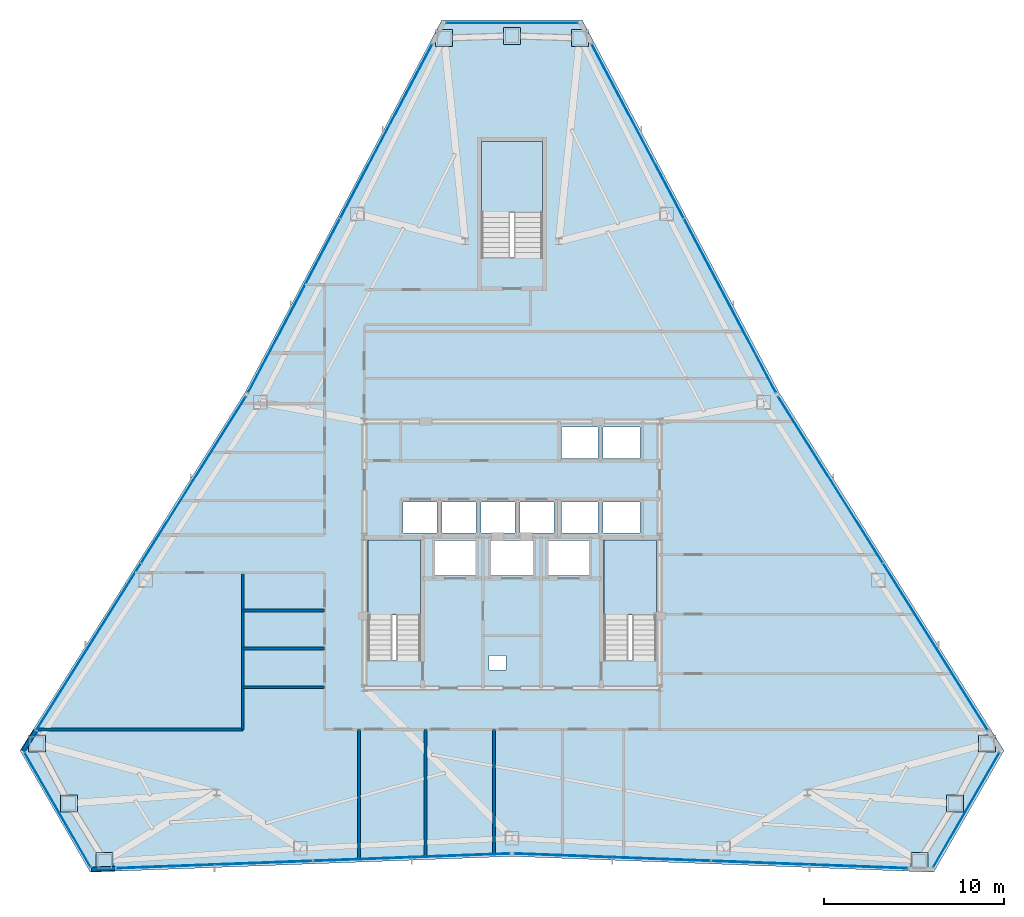
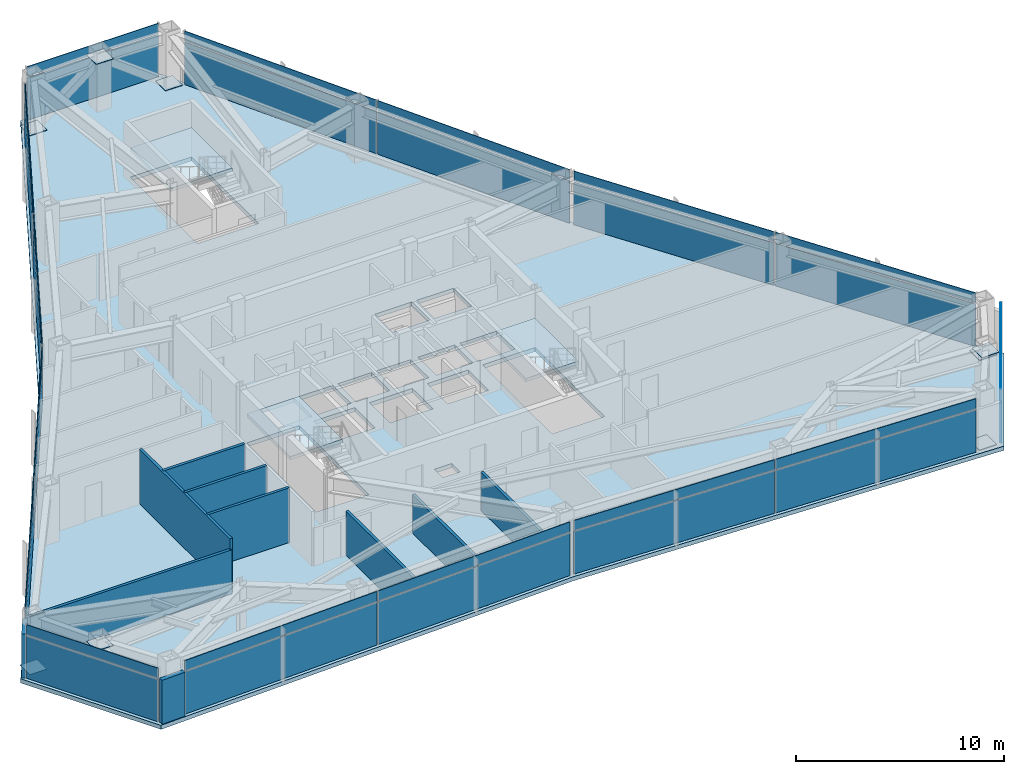
# One storey, part 9 of 13: 39 plates, 10 walls, 4 slabs, 12 elements without a shape of their own.
"""IFC4 building model written with IfcOpenShell, lengths in metres."""

from ifc_helpers import new_model, si_unit, direction, frame, frame_2d, origin, origin_2d, place, context, subcontext, project, spatial, polyline, rectangle, outline, extrude, source, transform, mapped, material, layer, layer_set, type_object, type_shapes, element, aggregate, save


model = new_model("IFC4")

# Units and contexts
model_context = context("Model", 3, precision=1e-05, world=origin(), true_north=direction((0.0, 1.0)))
body_context = subcontext(model_context, "Body", "Model", "MODEL_VIEW")
ifc_project = project(units=[si_unit("LENGTHUNIT", "METRE"), si_unit("AREAUNIT", "SQUARE_METRE"), si_unit("VOLUMEUNIT", "CUBIC_METRE"), si_unit("PLANEANGLEUNIT", "RADIAN"), si_unit("MASSUNIT", "GRAM", prefix="KILO")], contexts=[model_context])

# Site, building, storey
site_placement = place(None, origin())
site = spatial("IfcSite", under=ifc_project, at=site_placement, CompositionType="ELEMENT")
building_placement = place(site_placement, origin())
building = spatial("IfcBuilding", under=site, at=building_placement, Name="Varakhsha Concourse Tower", CompositionType="ELEMENT")
storey_placement = place(building_placement, frame((0.0, 0.0, 175.800048828125)))
storey = spatial("IfcBuildingStorey", under=building, at=storey_placement, Name="L50", CompositionType="ELEMENT", Elevation=175.800048828125)

# Slab
ifc_material_1 = material(Name="Concrete fc 45 MPa", Category="concrete")
ifc_layer_1 = layer(ifc_material_1, 0.239990234375, Name="SL-FLR-240")
ifc_layer_set_1 = layer_set([ifc_layer_1], Name="Concrete fc 45 MPa")
slab_type_1 = type_object("IfcSlabType", Name="SL-FLR-240", PredefinedType="FLOOR", material=ifc_layer_set_1)
slab_1_placement = place(storey_placement, frame((0.0, 0.0, -0.239990234375)))
element("IfcSlab", 1, at=slab_1_placement, inside=storey, type_object=slab_type_1, Name="L50 Composite Structural Slab", PredefinedType="FLOOR", context=body_context, shape_type="SweptSolid", body=[
    extrude(outline(polyline([(43.89990234375, 53.498291015625), (36.10009765625, 53.498291015625), (25.147216796875, 32.775390625), (12.677001953125, 12.92822265625), (16.576904296875, 6.17333984375), (40.0, 7.04931640625), (63.423095703125, 6.17333984375), (67.322998046875, 12.92822265625), (54.852783203125, 32.775390625), (43.89990234375, 53.498291015625)]), holes=[polyline([(34.919921875, 17.93994140625), (34.919921875, 24.6298828125), (32.0, 24.6298828125), (32.0, 17.93994140625), (34.919921875, 17.93994140625)]), polyline([(48.02001953125, 17.93994140625), (48.02001953125, 24.6298828125), (45.10009765625, 24.6298828125), (45.10009765625, 17.93994140625), (48.02001953125, 17.93994140625)]), polyline([(41.699951171875, 40.300048828125), (41.699951171875, 46.75), (38.300048828125, 46.75), (38.300048828125, 40.300048828125), (41.699951171875, 40.300048828125)]), polyline([(33.9599609375, 25.0), (35.840087890625, 25.0), (35.840087890625, 26.739990234375), (33.9599609375, 26.739990234375), (33.9599609375, 25.0)]), polyline([(36.1201171875, 25.0), (38.0, 25.0), (38.0, 26.739990234375), (36.1201171875, 26.739990234375), (36.1201171875, 25.0)]), polyline([(38.280029296875, 25.0), (40.159912109375, 25.0), (40.159912109375, 26.739990234375), (38.280029296875, 26.739990234375), (38.280029296875, 25.0)]), polyline([(40.43994140625, 25.0), (42.320068359375, 25.0), (42.320068359375, 26.739990234375), (40.43994140625, 26.739990234375), (40.43994140625, 25.0)]), polyline([(42.739990234375, 29.159912109375), (44.780029296875, 29.159912109375), (44.780029296875, 30.89990234375), (42.739990234375, 30.89990234375), (42.739990234375, 29.159912109375)]), polyline([(45.06005859375, 29.159912109375), (47.10009765625, 29.159912109375), (47.10009765625, 30.89990234375), (45.06005859375, 30.89990234375), (45.06005859375, 29.159912109375)]), polyline([(42.739990234375, 25.0), (44.780029296875, 25.0), (44.780029296875, 26.739990234375), (42.739990234375, 26.739990234375), (42.739990234375, 25.0)]), polyline([(45.06005859375, 25.0), (47.10009765625, 25.0), (47.10009765625, 26.739990234375), (45.06005859375, 26.739990234375), (45.06005859375, 25.0)]), polyline([(35.7099609375, 22.639892578125), (37.989990234375, 22.639892578125), (37.989990234375, 24.60009765625), (35.7099609375, 24.60009765625), (35.7099609375, 22.639892578125)]), polyline([(42.010009765625, 22.639892578125), (44.2900390625, 22.639892578125), (44.2900390625, 24.60009765625), (42.010009765625, 24.60009765625), (42.010009765625, 22.639892578125)]), polyline([(38.81005859375, 22.639892578125), (41.18994140625, 22.639892578125), (41.18994140625, 24.60009765625), (38.81005859375, 24.60009765625), (38.81005859375, 22.639892578125)]), polyline([(38.719970703125, 17.39990234375), (39.679931640625, 17.39990234375), (39.679931640625, 18.199951171875), (38.719970703125, 18.199951171875), (38.719970703125, 17.39990234375)])]), origin(), (0.0, 0.0, 1.0), 0.239990234375),
])

# Stair, slab
stair_type_1 = type_object("IfcStairType", Name="ST-DOGLEG-1360", PredefinedType="HALF_TURN_STAIR", material=ifc_material_1)
stair_1_placement = place(storey_placement, origin())
stair_1 = element("IfcStair", 2, at=stair_1_placement, inside=storey, type_object=stair_type_1, Name="L50 Protected Exit Stair ST1", PredefinedType="HALF_TURN_STAIR")
ifc_layer_2 = layer(ifc_material_1, 0.199951171875, Name="SL-LAND-200")
ifc_layer_set_2 = layer_set([ifc_layer_2], Name="Concrete fc 45 MPa")
slab_type_2 = type_object("IfcSlabType", Name="SL-LAND-200", PredefinedType="LANDING", material=ifc_layer_set_2)
slab_2_placement = place(storey_placement, frame((0.0, 0.0, 1.52490234375)))
slab_2 = element("IfcSlab", 3, at=slab_2_placement, type_object=slab_type_2, Name="ST1 landing 1", PredefinedType="LANDING", context=body_context, shape_type="SweptSolid", body=[
    extrude(outline(polyline([(34.919921875, 20.4599609375), (34.919921875, 24.6298828125), (32.0, 24.6298828125), (32.0, 20.4599609375), (34.919921875, 20.4599609375)])), origin(), (0.0, 0.0, 1.0), 0.199951171875),
])
aggregate(stair_1, [slab_2])

stair_2_placement = place(storey_placement, origin())
stair_2 = element("IfcStair", 4, at=stair_2_placement, inside=storey, type_object=stair_type_1, Name="L50 Protected Exit Stair ST2", PredefinedType="HALF_TURN_STAIR")
slab_3_placement = place(storey_placement, frame((0.0, 0.0, 1.52490234375)))
slab_3 = element("IfcSlab", 5, at=slab_3_placement, type_object=slab_type_2, Name="ST2 landing 1", PredefinedType="LANDING", context=body_context, shape_type="SweptSolid", body=[
    extrude(outline(polyline([(48.02001953125, 20.4599609375), (48.02001953125, 24.6298828125), (45.10009765625, 24.6298828125), (45.10009765625, 20.4599609375), (48.02001953125, 20.4599609375)])), origin(), (0.0, 0.0, 1.0), 0.199951171875),
])
aggregate(stair_2, [slab_3])

stair_type_2 = type_object("IfcStairType", Name="ST-DOGLEG-1600", PredefinedType="HALF_TURN_STAIR", material=ifc_material_1)
stair_3_placement = place(storey_placement, origin())
stair_3 = element("IfcStair", 6, at=stair_3_placement, inside=storey, type_object=stair_type_2, Name="L50 Protected Exit Stair ST5", PredefinedType="HALF_TURN_STAIR")
slab_4_placement = place(storey_placement, frame((0.0, 0.0, 1.52490234375)))
slab_4 = element("IfcSlab", 7, at=slab_4_placement, type_object=slab_type_2, Name="ST5 landing 1", PredefinedType="LANDING", context=body_context, shape_type="SweptSolid", body=[
    extrude(outline(polyline([(41.699951171875, 42.820068359375), (41.699951171875, 46.75), (38.300048828125, 46.75), (38.300048828125, 42.820068359375), (41.699951171875, 42.820068359375)])), origin(), (0.0, 0.0, 1.0), 0.199951171875),
])
aggregate(stair_3, [slab_4])

# Plates
ifc_material_2 = material(Name="Structural Steel ASTM A572 Grade 50", Category="steel")
ifc_layer_3 = layer(ifc_material_2, 0.030029296875, Name="PL-ENDCAP-950")
ifc_layer_set_3 = layer_set([ifc_layer_3], Name="Structural Steel ASTM A572 Grade 50")
plate_type_1 = type_object("IfcPlateType", Name="PL-ENDCAP-950", PredefinedType="USERDEFINED", material=ifc_layer_set_3)
shared_shape_1 = source(origin(), body_context, "Body", "SweptSolid", [
    extrude(rectangle(XDim=0.949951171875, YDim=0.949951171875, at=origin_2d()), origin(), (0.0, 0.0, 1.0), 0.030029296875),
])
type_shapes(plate_type_1, [shared_shape_1])
for number, where, z_axis, x_axis, name in (
    (8, (43.7666015625, 52.4951171875, 0.10498046875), (0.0, 0.0, 1.0), (1.0, 0.0, 0.0), "Hollow Section End Cap GP-NODE-L50-0514"),
    (9, (40.0, 52.618408203125, 2.89501953125), (0.0, 0.0, 1.0), (1.0, 0.0, 0.0), "Hollow Section End Cap GP-NODE-L50-0515"),
    (10, (36.2333984375, 52.4951171875, 0.10498046875), (0.0, 0.0, 1.0), (1.0, 0.0, 0.0), "Hollow Section End Cap GP-NODE-L50-0516"),
    (11, (13.6123046875, 13.314208984375, 0.10498046875), (0.0, 0.0, 1.0), (1.0, 0.0, 0.0), "Hollow Section End Cap GP-NODE-L50-0517"),
    (12, (15.388916015625, 9.99072265625, 2.89501953125), (0.0, 0.0, 1.0), (1.0, 0.0, 0.0), "Hollow Section End Cap GP-NODE-L50-0518"),
    (13, (17.37890625, 6.79052734375, 0.10498046875), (0.0, 0.0, 1.0), (1.0, 0.0, 0.0), "Hollow Section End Cap GP-NODE-L50-0519"),
    (14, (62.62109375, 6.79052734375, 0.10498046875), (0.0, 0.0, 1.0), (1.0, 0.0, 0.0), "Hollow Section End Cap GP-NODE-L50-0520"),
    (15, (64.611083984375, 9.99072265625, 2.89501953125), (0.0, 0.0, 1.0), (1.0, 0.0, 0.0), "Hollow Section End Cap GP-NODE-L50-0521"),
    (16, (66.3876953125, 13.314208984375, 0.10498046875), (0.0, 0.0, 1.0), (1.0, 0.0, 0.0), "Hollow Section End Cap GP-NODE-L50-0522"),
):
    element("IfcPlate", number, at=place(storey_placement, frame(where, z_axis=z_axis, x_axis=x_axis)), inside=storey, type_object=plate_type_1, Name=name, ObjectType="END PLATE", PredefinedType="USERDEFINED", context=body_context, shape_type="MappedRepresentation", body=[
        mapped(shared_shape_1, transform((0.0, 0.0, 0.0), scale=1.0)),
    ])

# Curtain wall, plates
ifc_material_3 = material(Name="Anodised Bronze Architectural Aluminium AA 6063-T6", Category="aluminium")
ifc_layer_4 = layer(ifc_material_3, 0.2099609375, Name="CW-SYS-04")
ifc_layer_set_4 = layer_set([ifc_layer_4], Name="Anodised Bronze Architectural Aluminium AA 6063-T6")
curtain_wall_type = type_object("IfcCurtainWallType", Name="CW-SYS-04", PredefinedType="NOTDEFINED", material=ifc_layer_set_4)
curtain_wall_1_placement = place(storey_placement, origin())
curtain_wall_1 = element("IfcCurtainWall", 17, at=curtain_wall_1_placement, inside=storey, type_object=curtain_wall_type, Name="L50 Crystal Curtain Wall F2", PredefinedType="NOTDEFINED")
ifc_material_4 = material(Name="Low-E Triple Insulating Glass IGU 44 mm", Category="glass")
ifc_layer_5 = layer(ifc_material_4, 0.0439453125, Name="CWP-IGU-44")
ifc_layer_set_5 = layer_set([ifc_layer_5], Name="Low-E Triple Insulating Glass IGU 44 mm")
plate_type_2 = type_object("IfcPlateType", Name="CWP-IGU-44", PredefinedType="CURTAIN_PANEL", material=ifc_layer_set_5)
shared_shape_2 = source(origin(), body_context, "Body", "SweptSolid", [
    extrude(rectangle(XDim=10.900634765625, YDim=0.0439453125, at=origin_2d()), origin(), (0.0, 0.0, 1.0), 2.49609375),
])
plate_1_placement = place(storey_placement, frame((27.888916015625, 37.62060546875, 0.031982421875), z_axis=(0.0, 0.0, 1.0), x_axis=(0.46728648373, 0.884105956389, 0.0)))
plate_1 = element("IfcPlate", 18, at=plate_1_placement, type_object=plate_type_2, Name="CW-L50-F2 Panel 00-00", PredefinedType="CURTAIN_PANEL", context=body_context, shape_type="MappedRepresentation", body=[
    mapped(shared_shape_2, transform((0.0, 0.0, 0.0), scale=1.0)),
])
plate_2_placement = place(storey_placement, frame((33.014892578125, 47.31884765625, 0.031982421875), z_axis=(0.0, 0.0, 1.0), x_axis=(0.46728648373, 0.884105956389, 0.0)))
plate_2 = element("IfcPlate", 19, at=plate_2_placement, type_object=plate_type_2, Name="CW-L50-F2 Panel 01-00", PredefinedType="CURTAIN_PANEL", context=body_context, shape_type="MappedRepresentation", body=[
    mapped(shared_shape_2, transform((0.0, 0.0, 0.0), scale=1.0)),
])

# Curtain wall, plate
curtain_wall_2_placement = place(storey_placement, origin())
curtain_wall_2 = element("IfcCurtainWall", 20, at=curtain_wall_2_placement, inside=storey, type_object=curtain_wall_type, Name="L50 Crystal Curtain Wall F3", PredefinedType="NOTDEFINED")
plate_3_placement = place(storey_placement, frame((16.48583984375, 18.689697265625, 0.031982421875), z_axis=(0.0, 0.0, 1.0), x_axis=(0.532022365141, 0.846730301212, 0.0)))
plate_3 = element("IfcPlate", 21, at=plate_3_placement, type_object=plate_type_2, Name="CW-L50-F3 Panel 00-00", PredefinedType="CURTAIN_PANEL", context=body_context, shape_type="MappedRepresentation", body=[
    mapped(shared_shape_2, transform((0.0, 0.0, 0.0), scale=1.0)),
])

# Curtain wall, plates
curtain_wall_3_placement = place(storey_placement, origin())
curtain_wall_3 = element("IfcCurtainWall", 22, at=curtain_wall_3_placement, inside=storey, type_object=curtain_wall_type, Name="L50 Crystal Curtain Wall F5", PredefinedType="NOTDEFINED")
plate_4_placement = place(storey_placement, frame((34.43310546875, 7.001220703125, 0.031982421875), z_axis=(0.0, 0.0, 1.0), x_axis=(-0.999301264048, -0.037376244769, 0.0)))
plate_4 = element("IfcPlate", 23, at=plate_4_placement, type_object=plate_type_2, Name="CW-L50-F5 Panel 00-00", PredefinedType="CURTAIN_PANEL", context=body_context, shape_type="MappedRepresentation", body=[
    mapped(shared_shape_2, transform((0.0, 0.0, 0.0), scale=1.0)),
])
plate_5_placement = place(storey_placement, frame((23.470947265625, 6.59130859375, 0.031982421875), z_axis=(0.0, 0.0, 1.0), x_axis=(-0.999301264048, -0.037376244769, 0.0)))
plate_5 = element("IfcPlate", 24, at=plate_5_placement, type_object=plate_type_2, Name="CW-L50-F5 Panel 01-00", PredefinedType="CURTAIN_PANEL", context=body_context, shape_type="MappedRepresentation", body=[
    mapped(shared_shape_2, transform((0.0, 0.0, 0.0), scale=1.0)),
])

curtain_wall_4_placement = place(storey_placement, origin())
curtain_wall_4 = element("IfcCurtainWall", 25, at=curtain_wall_4_placement, inside=storey, type_object=curtain_wall_type, Name="L50 Crystal Curtain Wall F6", PredefinedType="NOTDEFINED")
plate_6_placement = place(storey_placement, frame((56.529052734375, 6.59130859375, 0.031982421875), z_axis=(0.0, 0.0, 1.0), x_axis=(-0.999301264048, 0.037376244769, 0.0)))
plate_6 = element("IfcPlate", 26, at=plate_6_placement, type_object=plate_type_2, Name="CW-L50-F6 Panel 00-00", PredefinedType="CURTAIN_PANEL", context=body_context, shape_type="MappedRepresentation", body=[
    mapped(shared_shape_2, transform((0.0, 0.0, 0.0), scale=1.0)),
])
plate_7_placement = place(storey_placement, frame((45.56689453125, 7.001220703125, 0.031982421875), z_axis=(0.0, 0.0, 1.0), x_axis=(-0.999301264048, 0.037376244769, 0.0)))
plate_7 = element("IfcPlate", 27, at=plate_7_placement, type_object=plate_type_2, Name="CW-L50-F6 Panel 01-00", PredefinedType="CURTAIN_PANEL", context=body_context, shape_type="MappedRepresentation", body=[
    mapped(shared_shape_2, transform((0.0, 0.0, 0.0), scale=1.0)),
])

# Curtain wall, plate
curtain_wall_5_placement = place(storey_placement, origin())
curtain_wall_5 = element("IfcCurtainWall", 28, at=curtain_wall_5_placement, inside=storey, type_object=curtain_wall_type, Name="L50 Crystal Curtain Wall F8", PredefinedType="NOTDEFINED")
plate_8_placement = place(storey_placement, frame((57.677978515625, 27.978271484375, 0.031982421875), z_axis=(0.0, 0.0, 1.0), x_axis=(0.532022365141, -0.846730301212, 0.0)))
plate_8 = element("IfcPlate", 29, at=plate_8_placement, type_object=plate_type_2, Name="CW-L50-F8 Panel 00-00", PredefinedType="CURTAIN_PANEL", context=body_context, shape_type="MappedRepresentation", body=[
    mapped(shared_shape_2, transform((0.0, 0.0, 0.0), scale=1.0)),
])

# Curtain wall, plates
curtain_wall_6_placement = place(storey_placement, origin())
curtain_wall_6 = element("IfcCurtainWall", 30, at=curtain_wall_6_placement, inside=storey, type_object=curtain_wall_type, Name="L50 Crystal Curtain Wall F9", PredefinedType="NOTDEFINED")
plate_9_placement = place(storey_placement, frame((46.985107421875, 47.31884765625, 0.031982421875), z_axis=(0.0, 0.0, 1.0), x_axis=(0.46728648373, -0.884105956389, 0.0)))
plate_9 = element("IfcPlate", 31, at=plate_9_placement, type_object=plate_type_2, Name="CW-L50-F9 Panel 00-00", PredefinedType="CURTAIN_PANEL", context=body_context, shape_type="MappedRepresentation", body=[
    mapped(shared_shape_2, transform((0.0, 0.0, 0.0), scale=1.0)),
])
plate_10_placement = place(storey_placement, frame((52.111083984375, 37.62060546875, 0.031982421875), z_axis=(0.0, 0.0, 1.0), x_axis=(0.46728648373, -0.884105956389, 0.0)))
plate_10 = element("IfcPlate", 32, at=plate_10_placement, type_object=plate_type_2, Name="CW-L50-F9 Panel 01-00", PredefinedType="CURTAIN_PANEL", context=body_context, shape_type="MappedRepresentation", body=[
    mapped(shared_shape_2, transform((0.0, 0.0, 0.0), scale=1.0)),
])

# Plate
ifc_material_5 = material(Name="Insulated Anodised Bronze Aluminium Spandrel 36 mm", Category="aluminium")
ifc_layer_6 = layer(ifc_material_5, 0.035888671875, Name="CWP-SPN-36")
ifc_layer_set_6 = layer_set([ifc_layer_6], Name="Insulated Anodised Bronze Aluminium Spandrel 36 mm")
plate_type_3 = type_object("IfcPlateType", Name="CWP-SPN-36", PredefinedType="USERDEFINED", material=ifc_layer_set_6)
shared_shape_3 = source(origin(), body_context, "Body", "SweptSolid", [
    extrude(rectangle(XDim=10.900634765625, YDim=0.035888671875, at=origin_2d()), origin(), (0.0, 0.0, 1.0), 0.5859375),
])
plate_11_placement = place(storey_placement, frame((27.888916015625, 37.62060546875, 2.592041015625), z_axis=(0.0, 0.0, 1.0), x_axis=(0.46728648373, 0.884105956389, 0.0)))
plate_11 = element("IfcPlate", 33, at=plate_11_placement, type_object=plate_type_3, Name="CW-L50-F2 Panel 00-01", ObjectType="SPANDREL", PredefinedType="USERDEFINED", context=body_context, shape_type="MappedRepresentation", body=[
    mapped(shared_shape_3, transform((0.0, 0.0, 0.0), scale=1.0)),
])

plate_12_placement = place(storey_placement, frame((33.014892578125, 47.31884765625, 2.592041015625), z_axis=(0.0, 0.0, 1.0), x_axis=(0.46728648373, 0.884105956389, 0.0)))
plate_12 = element("IfcPlate", 34, at=plate_12_placement, type_object=plate_type_3, Name="CW-L50-F2 Panel 01-01", ObjectType="SPANDREL", PredefinedType="USERDEFINED", context=body_context, shape_type="MappedRepresentation", body=[
    mapped(shared_shape_3, transform((0.0, 0.0, 0.0), scale=1.0)),
])

aggregate(curtain_wall_1, [plate_1, plate_11, plate_2, plate_12])

plate_13_placement = place(storey_placement, frame((16.48583984375, 18.689697265625, 2.592041015625), z_axis=(0.0, 0.0, 1.0), x_axis=(0.532022365141, 0.846730301212, 0.0)))
plate_13 = element("IfcPlate", 35, at=plate_13_placement, type_object=plate_type_3, Name="CW-L50-F3 Panel 00-01", ObjectType="SPANDREL", PredefinedType="USERDEFINED", context=body_context, shape_type="MappedRepresentation", body=[
    mapped(shared_shape_3, transform((0.0, 0.0, 0.0), scale=1.0)),
])

plate_14_placement = place(storey_placement, frame((34.43310546875, 7.001220703125, 2.592041015625), z_axis=(0.0, 0.0, 1.0), x_axis=(-0.999301264048, -0.037376244769, 0.0)))
plate_14 = element("IfcPlate", 36, at=plate_14_placement, type_object=plate_type_3, Name="CW-L50-F5 Panel 00-01", ObjectType="SPANDREL", PredefinedType="USERDEFINED", context=body_context, shape_type="MappedRepresentation", body=[
    mapped(shared_shape_3, transform((0.0, 0.0, 0.0), scale=1.0)),
])

plate_15_placement = place(storey_placement, frame((23.470947265625, 6.59130859375, 2.592041015625), z_axis=(0.0, 0.0, 1.0), x_axis=(-0.999301264048, -0.037376244769, 0.0)))
plate_15 = element("IfcPlate", 37, at=plate_15_placement, type_object=plate_type_3, Name="CW-L50-F5 Panel 01-01", ObjectType="SPANDREL", PredefinedType="USERDEFINED", context=body_context, shape_type="MappedRepresentation", body=[
    mapped(shared_shape_3, transform((0.0, 0.0, 0.0), scale=1.0)),
])

aggregate(curtain_wall_3, [plate_4, plate_14, plate_5, plate_15])

plate_16_placement = place(storey_placement, frame((56.529052734375, 6.59130859375, 2.592041015625), z_axis=(0.0, 0.0, 1.0), x_axis=(-0.999301264048, 0.037376244769, 0.0)))
plate_16 = element("IfcPlate", 38, at=plate_16_placement, type_object=plate_type_3, Name="CW-L50-F6 Panel 00-01", ObjectType="SPANDREL", PredefinedType="USERDEFINED", context=body_context, shape_type="MappedRepresentation", body=[
    mapped(shared_shape_3, transform((0.0, 0.0, 0.0), scale=1.0)),
])

plate_17_placement = place(storey_placement, frame((45.56689453125, 7.001220703125, 2.592041015625), z_axis=(0.0, 0.0, 1.0), x_axis=(-0.999301264048, 0.037376244769, 0.0)))
plate_17 = element("IfcPlate", 39, at=plate_17_placement, type_object=plate_type_3, Name="CW-L50-F6 Panel 01-01", ObjectType="SPANDREL", PredefinedType="USERDEFINED", context=body_context, shape_type="MappedRepresentation", body=[
    mapped(shared_shape_3, transform((0.0, 0.0, 0.0), scale=1.0)),
])

aggregate(curtain_wall_4, [plate_6, plate_16, plate_7, plate_17])

plate_18_placement = place(storey_placement, frame((57.677978515625, 27.978271484375, 2.592041015625), z_axis=(0.0, 0.0, 1.0), x_axis=(0.532022365141, -0.846730301212, 0.0)))
plate_18 = element("IfcPlate", 40, at=plate_18_placement, type_object=plate_type_3, Name="CW-L50-F8 Panel 00-01", ObjectType="SPANDREL", PredefinedType="USERDEFINED", context=body_context, shape_type="MappedRepresentation", body=[
    mapped(shared_shape_3, transform((0.0, 0.0, 0.0), scale=1.0)),
])

plate_19_placement = place(storey_placement, frame((46.985107421875, 47.31884765625, 2.592041015625), z_axis=(0.0, 0.0, 1.0), x_axis=(0.46728648373, -0.884105956389, 0.0)))
plate_19 = element("IfcPlate", 41, at=plate_19_placement, type_object=plate_type_3, Name="CW-L50-F9 Panel 00-01", ObjectType="SPANDREL", PredefinedType="USERDEFINED", context=body_context, shape_type="MappedRepresentation", body=[
    mapped(shared_shape_3, transform((0.0, 0.0, 0.0), scale=1.0)),
])

plate_20_placement = place(storey_placement, frame((52.111083984375, 37.62060546875, 2.592041015625), z_axis=(0.0, 0.0, 1.0), x_axis=(0.46728648373, -0.884105956389, 0.0)))
plate_20 = element("IfcPlate", 42, at=plate_20_placement, type_object=plate_type_3, Name="CW-L50-F9 Panel 01-01", ObjectType="SPANDREL", PredefinedType="USERDEFINED", context=body_context, shape_type="MappedRepresentation", body=[
    mapped(shared_shape_3, transform((0.0, 0.0, 0.0), scale=1.0)),
])

aggregate(curtain_wall_6, [plate_9, plate_19, plate_10, plate_20])

shared_shape_4 = source(origin(), body_context, "Body", "SweptSolid", [
    extrude(rectangle(XDim=10.90087890625, YDim=0.0439453125, at=origin_2d()), origin(), (0.0, 0.0, 1.0), 2.49609375),
])
type_shapes(plate_type_2, [shared_shape_2, shared_shape_4])
plate_21_placement = place(storey_placement, frame((22.322021484375, 27.978271484375, 0.031982421875), z_axis=(0.0, 0.0, 1.0), x_axis=(0.532022365141, 0.846730301212, 0.0)))
plate_21 = element("IfcPlate", 43, at=plate_21_placement, type_object=plate_type_2, Name="CW-L50-F3 Panel 01-00", PredefinedType="CURTAIN_PANEL", context=body_context, shape_type="MappedRepresentation", body=[
    mapped(shared_shape_4, transform((0.0, 0.0, 0.0), scale=1.0)),
])

plate_22_placement = place(storey_placement, frame((63.51416015625, 18.689697265625, 0.031982421875), z_axis=(0.0, 0.0, 1.0), x_axis=(0.532022365141, -0.846730301212, 0.0)))
plate_22 = element("IfcPlate", 44, at=plate_22_placement, type_object=plate_type_2, Name="CW-L50-F8 Panel 01-00", PredefinedType="CURTAIN_PANEL", context=body_context, shape_type="MappedRepresentation", body=[
    mapped(shared_shape_4, transform((0.0, 0.0, 0.0), scale=1.0)),
])

shared_shape_5 = source(origin(), body_context, "Body", "SweptSolid", [
    extrude(rectangle(XDim=10.90087890625, YDim=0.035888671875, at=origin_2d()), origin(), (0.0, 0.0, 1.0), 0.5859375),
])
plate_23_placement = place(storey_placement, frame((22.322021484375, 27.978271484375, 2.592041015625), z_axis=(0.0, 0.0, 1.0), x_axis=(0.532022365141, 0.846730301212, 0.0)))
plate_23 = element("IfcPlate", 45, at=plate_23_placement, type_object=plate_type_3, Name="CW-L50-F3 Panel 01-01", ObjectType="SPANDREL", PredefinedType="USERDEFINED", context=body_context, shape_type="MappedRepresentation", body=[
    mapped(shared_shape_5, transform((0.0, 0.0, 0.0), scale=1.0)),
])

aggregate(curtain_wall_2, [plate_3, plate_13, plate_21, plate_23])

plate_24_placement = place(storey_placement, frame((63.51416015625, 18.689697265625, 2.592041015625), z_axis=(0.0, 0.0, 1.0), x_axis=(0.532022365141, -0.846730301212, 0.0)))
plate_24 = element("IfcPlate", 46, at=plate_24_placement, type_object=plate_type_3, Name="CW-L50-F8 Panel 01-01", ObjectType="SPANDREL", PredefinedType="USERDEFINED", context=body_context, shape_type="MappedRepresentation", body=[
    mapped(shared_shape_5, transform((0.0, 0.0, 0.0), scale=1.0)),
])

aggregate(curtain_wall_5, [plate_8, plate_18, plate_22, plate_24])

# Curtain wall, plate
curtain_wall_7_placement = place(storey_placement, origin())
curtain_wall_7 = element("IfcCurtainWall", 47, at=curtain_wall_7_placement, inside=storey, type_object=curtain_wall_type, Name="L50 Chamfer Curtain Wall F1", PredefinedType="NOTDEFINED")
shared_shape_6 = source(origin(), body_context, "Body", "SweptSolid", [
    extrude(rectangle(XDim=7.291015625, YDim=0.035888671875, at=origin_2d()), origin(), (0.0, 0.0, 1.0), 2.49609375),
])
plate_25_placement = place(storey_placement, frame((40.0, 53.33837890625, 0.031982421875), z_axis=(0.0, 0.0, 1.0), x_axis=(1.0, 0.0, 0.0)))
plate_25 = element("IfcPlate", 48, at=plate_25_placement, type_object=plate_type_3, Name="CW-L50-F1 Panel 00-00", ObjectType="SPANDREL", PredefinedType="USERDEFINED", context=body_context, shape_type="MappedRepresentation", body=[
    mapped(shared_shape_6, transform((0.0, 0.0, 0.0), scale=1.0)),
])

curtain_wall_8_placement = place(storey_placement, origin())
curtain_wall_8 = element("IfcCurtainWall", 49, at=curtain_wall_8_placement, inside=storey, type_object=curtain_wall_type, Name="L50 Chamfer Curtain Wall F4", PredefinedType="NOTDEFINED")
plate_26_placement = place(storey_placement, frame((14.765380859375, 9.630859375, 0.031982421875), z_axis=(0.0, 0.0, 1.0), x_axis=(-0.499996976998, 0.866027149108, 0.0)))
plate_26 = element("IfcPlate", 50, at=plate_26_placement, type_object=plate_type_3, Name="CW-L50-F4 Panel 00-00", ObjectType="SPANDREL", PredefinedType="USERDEFINED", context=body_context, shape_type="MappedRepresentation", body=[
    mapped(shared_shape_6, transform((0.0, 0.0, 0.0), scale=1.0)),
])

curtain_wall_9_placement = place(storey_placement, origin())
curtain_wall_9 = element("IfcCurtainWall", 51, at=curtain_wall_9_placement, inside=storey, type_object=curtain_wall_type, Name="L50 Chamfer Curtain Wall F7", PredefinedType="NOTDEFINED")
plate_27_placement = place(storey_placement, frame((65.234619140625, 9.630859375, 0.031982421875), z_axis=(0.0, 0.0, 1.0), x_axis=(-0.499996976998, -0.866027149108, 0.0)))
plate_27 = element("IfcPlate", 52, at=plate_27_placement, type_object=plate_type_3, Name="CW-L50-F7 Panel 00-00", ObjectType="SPANDREL", PredefinedType="USERDEFINED", context=body_context, shape_type="MappedRepresentation", body=[
    mapped(shared_shape_6, transform((0.0, 0.0, 0.0), scale=1.0)),
])

# Plate
shared_shape_7 = source(origin(), body_context, "Body", "SweptSolid", [
    extrude(rectangle(XDim=7.291015625, YDim=0.035888671875, at=origin_2d()), origin(), (0.0, 0.0, 1.0), 0.5859375),
])
type_shapes(plate_type_3, [shared_shape_3, shared_shape_5, shared_shape_6, shared_shape_7])
plate_28_placement = place(storey_placement, frame((40.0, 53.33837890625, 2.592041015625), z_axis=(0.0, 0.0, 1.0), x_axis=(1.0, 0.0, 0.0)))
plate_28 = element("IfcPlate", 53, at=plate_28_placement, type_object=plate_type_3, Name="CW-L50-F1 Panel 00-01", ObjectType="SPANDREL", PredefinedType="USERDEFINED", context=body_context, shape_type="MappedRepresentation", body=[
    mapped(shared_shape_7, transform((0.0, 0.0, 0.0), scale=1.0)),
])

aggregate(curtain_wall_7, [plate_25, plate_28])

plate_29_placement = place(storey_placement, frame((14.765380859375, 9.630859375, 2.592041015625), z_axis=(0.0, 0.0, 1.0), x_axis=(-0.499996976998, 0.866027149108, 0.0)))
plate_29 = element("IfcPlate", 54, at=plate_29_placement, type_object=plate_type_3, Name="CW-L50-F4 Panel 00-01", ObjectType="SPANDREL", PredefinedType="USERDEFINED", context=body_context, shape_type="MappedRepresentation", body=[
    mapped(shared_shape_7, transform((0.0, 0.0, 0.0), scale=1.0)),
])

aggregate(curtain_wall_8, [plate_26, plate_29])

plate_30_placement = place(storey_placement, frame((65.234619140625, 9.630859375, 2.592041015625), z_axis=(0.0, 0.0, 1.0), x_axis=(-0.499996976998, -0.866027149108, 0.0)))
plate_30 = element("IfcPlate", 55, at=plate_30_placement, type_object=plate_type_3, Name="CW-L50-F7 Panel 00-01", ObjectType="SPANDREL", PredefinedType="USERDEFINED", context=body_context, shape_type="MappedRepresentation", body=[
    mapped(shared_shape_7, transform((0.0, 0.0, 0.0), scale=1.0)),
])

aggregate(curtain_wall_9, [plate_27, plate_30])

# Walls
ifc_layer_7 = layer(ifc_material_1, 0.239990234375, Name="WL-EXT-CRN-240")
ifc_layer_set_7 = layer_set([ifc_layer_7], Name="Concrete fc 45 MPa")
wall_type_1 = type_object("IfcWallType", Name="WL-EXT-CRN-240", PredefinedType="SHEAR", material=ifc_layer_set_7)
for number, where, z_axis, x_axis, name in (
    (56, (13.550537109375, 14.01806640625, 0.0), (0.0, 0.0, 1.0), (-0.531987132085, -0.846752438022, 0.0), "L50 Wind-Corner Shoulder Wall F3"),
    (57, (16.656982421875, 6.33642578125, 0.0), (0.0, 0.0, 1.0), (0.999302961929, 0.037330822118, 0.0), "L50 Wind-Corner Shoulder Wall F5"),
):
    element("IfcWall", number, at=place(storey_placement, frame(where, z_axis=z_axis, x_axis=x_axis)), inside=storey, type_object=wall_type_1, Name=name, PredefinedType="SHEAR", context=body_context, shape_type="SweptSolid", body=[
        extrude(rectangle(XDim=1.301513671875, YDim=0.239990234375, at=frame_2d((0.65087890625, 0.0))), origin(), (0.0, 0.0, 1.0), 2.5830078125),
    ])
ifc_material_6 = material(Name="Fire-Rated Type X Gypsum Partition Assembly", Category="gypsum")
ifc_layer_8 = layer(ifc_material_6, 0.14990234375, Name="WL-PART-150")
ifc_layer_set_8 = layer_set([ifc_layer_8], Name="Fire-Rated Type X Gypsum Partition Assembly")
wall_type_2 = type_object("IfcWallType", Name="WL-PART-150", PredefinedType="PARTITIONING", material=ifc_layer_set_8)
wall_1_placement = place(storey_placement, frame((25.050048828125, 14.10009765625, 0.0), z_axis=(0.0, 0.0, 1.0), x_axis=(0.0, 1.0, 0.0)))
element("IfcWall", 58, at=wall_1_placement, inside=storey, type_object=wall_type_2, Name="L50 Wall C2WC-W-L50", PredefinedType="PARTITIONING", context=body_context, shape_type="SweptSolid", body=[
    extrude(rectangle(XDim=8.699951171875, YDim=0.14990234375, at=frame_2d((4.35009765625, 0.0))), origin(), (0.0, 0.0, 1.0), 3.2099609375),
])
for number, where, z_axis, x_axis, name in (
    (59, (25.050048828125, 16.449951171875, 0.0), (0.0, 0.0, 1.0), (1.0, 0.0, 0.0), "L50 Wall C2WC-S-L50"),
    (60, (25.050048828125, 18.60009765625, 0.0), (0.0, 0.0, 1.0), (1.0, 0.0, 0.0), "L50 Wall C2WC-D1-L50"),
    (61, (25.050048828125, 20.699951171875, 0.0), (0.0, 0.0, 1.0), (1.0, 0.0, 0.0), "L50 Wall C2WC-D2-L50"),
):
    element("IfcWall", number, at=place(storey_placement, frame(where, z_axis=z_axis, x_axis=x_axis)), inside=storey, type_object=wall_type_2, Name=name, PredefinedType="PARTITIONING", context=body_context, shape_type="SweptSolid", body=[
        extrude(rectangle(XDim=4.550048828125, YDim=0.14990234375, at=frame_2d((2.27490234375, 0.0))), origin(), (0.0, 0.0, 1.0), 3.2099609375),
    ])
wall_2_placement = place(storey_placement, frame((31.5, 6.896484375, 0.0), z_axis=(0.0, 0.0, 1.0), x_axis=(0.0, 1.0, 0.0)))
element("IfcWall", 62, at=wall_2_placement, inside=storey, type_object=wall_type_2, Name="L50 Wall ODIV-S1-L50", PredefinedType="PARTITIONING", context=body_context, shape_type="SweptSolid", body=[
    extrude(rectangle(XDim=7.20361328125, YDim=0.14990234375, at=frame_2d((3.601806640625, 0.0))), origin(), (0.0, 0.0, 1.0), 2.5888671875),
])
wall_3_placement = place(storey_placement, frame((35.199951171875, 7.034912109375, 0.0), z_axis=(0.0, 0.0, 1.0), x_axis=(0.0, 1.0, 0.0)))
element("IfcWall", 63, at=wall_3_placement, inside=storey, type_object=wall_type_2, Name="L50 Wall ODIV-S2-L50", PredefinedType="PARTITIONING", context=body_context, shape_type="SweptSolid", body=[
    extrude(rectangle(XDim=7.065185546875, YDim=0.14990234375, at=frame_2d((3.53271484375, 0.0))), origin(), (0.0, 0.0, 1.0), 2.251953125),
])
wall_4_placement = place(storey_placement, frame((39.0, 7.177001953125, 0.0), z_axis=(0.0, 0.0, 1.0), x_axis=(0.0, 1.0, 0.0)))
element("IfcWall", 64, at=wall_4_placement, inside=storey, type_object=wall_type_2, Name="L50 Wall ODIV-S3-L50", PredefinedType="PARTITIONING", context=body_context, shape_type="SweptSolid", body=[
    extrude(rectangle(XDim=6.923095703125, YDim=0.14990234375, at=frame_2d((3.46142578125, 0.0))), origin(), (0.0, 0.0, 1.0), 2.251953125),
])
wall_5_placement = place(storey_placement, frame((13.60791015625, 14.10009765625, 0.0), z_axis=(0.0, 0.0, 1.0), x_axis=(1.0, 0.0, 0.0)))
element("IfcWall", 65, at=wall_5_placement, inside=storey, type_object=wall_type_2, Name="L50 Wall ODIV-SWB-L50", PredefinedType="PARTITIONING", context=body_context, shape_type="SweptSolid", body=[
    extrude(rectangle(XDim=11.442138671875, YDim=0.14990234375, at=frame_2d((5.72119140625, 0.0))), origin(), (0.0, 0.0, 1.0), 2.5888671875),
])

save(model, "model.ifc")
